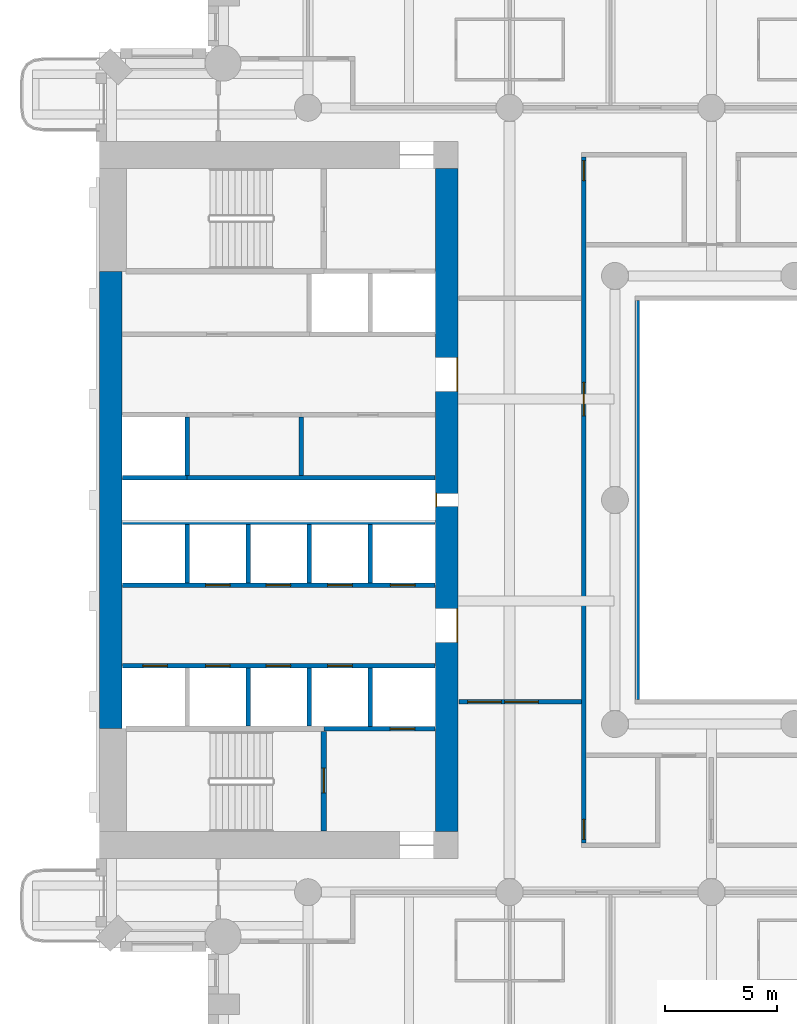
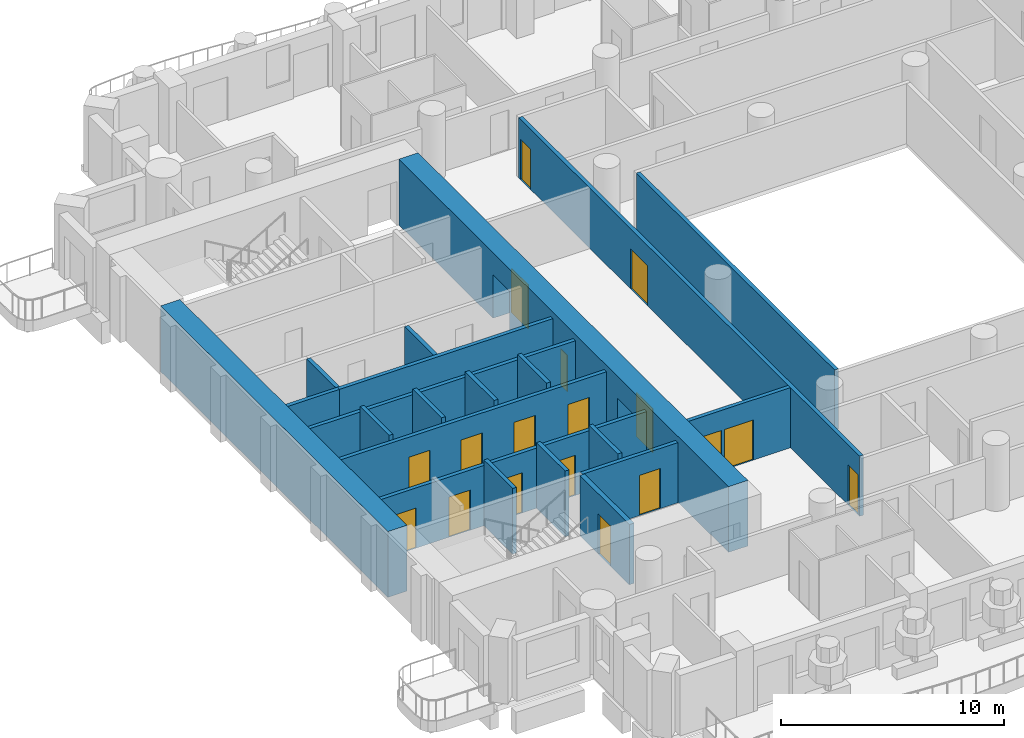
# One storey, part 4 of 20: 21 walls, 18 doors, 18 openings.
"""IFC4 building model written with IfcOpenShell, lengths in metres."""

import ifcopenshell
import ifcopenshell.guid

model = None  # the IFC model being written
_history = None  # IfcOwnerHistory: only IFC2X3 demands one
_inside = {}  # id of a spatial element -> (the spatial element, [elements in it])
_under = {}  # id of a project, library or spatial element -> (it, [spatial elements below it])
_declared = {}  # id of a project -> (the project, [libraries it declares])
_typed = {}  # id of a type object -> (the type object, [elements of that type])
_made_of = {}  # id of a material, layer set ... -> (it, [elements and type objects made of it])


def new_model(schema):
    """Start an empty IFC model of exactly this schema.

    Asked for "IFC4X3", IfcOpenShell would pick the latest addendum, in which some entities
    have other attributes; the version numbers below select the first issue.
    IFC2X3 requires an IfcOwnerHistory on every rooted entity: one is made here for all.
    """
    global model, _history
    if schema == "IFC4X3":
        model = ifcopenshell.file(schema_version=(4, 3, 0, 0))
    else:
        model = ifcopenshell.file(schema=schema)
    _inside.clear()
    _under.clear()
    _declared.clear()
    _typed.clear()
    _made_of.clear()
    _history = None
    if model.schema == "IFC2X3":
        org = make("IfcOrganization", Name="unknown")
        user = make(
            "IfcPersonAndOrganization",
            ThePerson=make("IfcPerson", FamilyName="unknown"),
            TheOrganization=org,
        )
        app = make(
            "IfcApplication",
            ApplicationDeveloper=org,
            Version="unknown",
            ApplicationFullName="unknown",
            ApplicationIdentifier="unknown",
        )
        _history = make(
            "IfcOwnerHistory",
            OwningUser=user,
            OwningApplication=app,
            ChangeAction="ADDED",
            CreationDate=0,
        )
    return model


def make(cls, **values):
    """One entity of the class cls with the attributes given. An attribute that is None is left unset."""
    return model.create_entity(
        cls, **{name: value for name, value in values.items() if value is not None}
    )


def rooted(cls, **values):
    """An entity with a GlobalId (a new one), such as an element, a storey or a relation."""
    return make(cls, GlobalId=ifcopenshell.guid.new(), OwnerHistory=_history, **values)


def si_unit(unit_type, name, prefix=None):
    """IfcSIUnit, for example si_unit("LENGTHUNIT", "METRE", prefix="MILLI")."""
    return make("IfcSIUnit", UnitType=unit_type, Prefix=prefix, Name=name)


def assignment(units):
    """IfcUnitAssignment: the units of a project."""
    return None if units is None else make("IfcUnitAssignment", Units=units)


def point(xyz):
    """IfcCartesianPoint."""
    return None if xyz is None else make("IfcCartesianPoint", Coordinates=xyz)


def direction(xyz):
    """IfcDirection."""
    return None if xyz is None else make("IfcDirection", DirectionRatios=xyz)


def frame(location, z_axis=None, x_axis=None):
    """IfcAxis2Placement3D, a coordinate frame: its origin and axes. An axis left out is left unset."""
    return make(
        "IfcAxis2Placement3D",
        Location=point(location),
        Axis=direction(z_axis),
        RefDirection=direction(x_axis),
    )


def frame_2d(location, x_axis=None):
    """IfcAxis2Placement2D, a coordinate frame in the plane: its origin and x axis."""
    return make(
        "IfcAxis2Placement2D", Location=point(location), RefDirection=direction(x_axis)
    )


def origin():
    """The frame at (0, 0, 0) with its axes left unset."""
    return frame((0.0, 0.0, 0.0))


def place(relative_to, where):
    """IfcLocalPlacement: puts the frame where relative to a parent placement (None: the world)."""
    return make(
        "IfcLocalPlacement", PlacementRelTo=relative_to, RelativePlacement=where
    )


def context(
    kind, dimensions, precision=None, world=None, true_north=None, identifier=None
):
    """IfcGeometricRepresentationContext, for example the 3D "Model" context."""
    return make(
        "IfcGeometricRepresentationContext",
        ContextIdentifier=identifier,
        ContextType=kind,
        CoordinateSpaceDimension=dimensions,
        Precision=precision,
        WorldCoordinateSystem=world,
        TrueNorth=true_north,
    )


def subcontext(parent, identifier, kind, view, scale=None):
    """IfcGeometricRepresentationSubContext, for example "Body" below "Model"."""
    return make(
        "IfcGeometricRepresentationSubContext",
        ContextIdentifier=identifier,
        ContextType=kind,
        ParentContext=parent,
        TargetScale=scale,
        TargetView=view,
    )


def project(units=None, contexts=None):
    """IfcProject with its units and contexts."""
    return rooted(
        "IfcProject",
        Name="project",
        RepresentationContexts=contexts,
        UnitsInContext=assignment(units),
    )


def spatial(cls, under=None, at=None, **own):
    """A site, building, storey or space (cls), placed at a placement, below another one or the project."""
    s = rooted(cls, ObjectPlacement=at, **own)
    if under is not None:
        _under.setdefault(under.id(), (under, []))[1].append(s)
    return s


def profile(cls, at=None, kind="AREA", **sizes):
    """A parametric profile (cls). Its sizes go by their IFC names, for example OverallWidth=200.0."""
    return make(cls, ProfileType=kind, Position=at, **sizes)


def rectangle(**sizes):
    """IfcRectangleProfileDef."""
    return profile("IfcRectangleProfileDef", **sizes)


def extrude(swept, where, along, depth):
    """IfcExtrudedAreaSolid: the profile swept, set in the frame where, extruded along a direction by depth."""
    return make(
        "IfcExtrudedAreaSolid",
        SweptArea=swept,
        Position=where,
        ExtrudedDirection=direction(along),
        Depth=depth,
    )


def shape(context_of_items, identifier, shape_type, items):
    """IfcShapeRepresentation: the items that make up one representation, for example the "Body"."""
    return make(
        "IfcShapeRepresentation",
        ContextOfItems=context_of_items,
        RepresentationIdentifier=identifier,
        RepresentationType=shape_type,
        Items=items,
    )


def material(Name=None, Category=None):
    """IfcMaterial."""
    return make("IfcMaterial", Name=Name, Category=Category)


def layer(
    of_material, thickness, ventilated=None, Name=None, Category=None, Priority=None
):
    """IfcMaterialLayer: one layer of a wall or slab, of a material (None: an air gap)."""
    return make(
        "IfcMaterialLayer",
        Material=of_material,
        LayerThickness=thickness,
        IsVentilated=ventilated,
        Name=Name,
        Category=Category,
        Priority=Priority,
    )


def layer_set(layers, Name=None):
    """IfcMaterialLayerSet."""
    return make("IfcMaterialLayerSet", MaterialLayers=layers, LayerSetName=Name)


def made_of(thing, what):
    """Note that an element or type object is made of a material, layer set ...; save() writes the relation."""
    if what is not None:
        _made_of.setdefault(what.id(), (what, []))[1].append(thing)
    return thing


def type_object(cls, material=None, **own):
    """A type object (cls), such as IfcWallType, which elements share."""
    return made_of(rooted(cls, **own), material)


def element(
    cls,
    number,
    at=None,
    inside=None,
    cuts=None,
    type_object=None,
    material=None,
    context=None,
    identifier="Body",
    shape_type=None,
    held_by="IfcProductDefinitionShape",
    body=None,
    shapes=None,
    **own,
):
    """One element of the class cls, such as IfcWall. Its Tag is "e" and its number.

    at: its placement. inside: the storey or other place that contains it. cuts: it is an
    opening in that element (IfcRelVoidsElement). A single representation is given by context,
    identifier, shape_type and body (its items); several are given by shapes. held_by: the class
    of the entity that holds the representations. save() writes the other relations.
    """
    e = rooted(cls, Tag="e%d" % number, ObjectPlacement=at, **own)
    if body is not None:
        shapes = [shape(context, identifier, shape_type, body)]
    if shapes is not None:
        e.Representation = make(held_by, Representations=shapes)
    if inside is not None:
        _inside.setdefault(inside.id(), (inside, []))[1].append(e)
    if cuts is not None:
        rooted(
            "IfcRelVoidsElement", RelatingBuildingElement=cuts, RelatedOpeningElement=e
        )
    if type_object is not None:
        _typed.setdefault(type_object.id(), (type_object, []))[1].append(e)
    return made_of(e, material)


def fill(opening, filler):
    """IfcRelFillsElement: the door or window that sits in an opening."""
    return rooted(
        "IfcRelFillsElement",
        RelatingOpeningElement=opening,
        RelatedBuildingElement=filler,
    )


def aggregate(whole, parts):
    """IfcRelAggregates: a whole, such as a stair, and the parts it consists of."""
    return rooted("IfcRelAggregates", RelatingObject=whole, RelatedObjects=parts)


def save(model, path):
    """Write the relations noted so far, then the file.

    IfcRelAggregates (storeys below a building ...), IfcRelContainedInSpatialStructure (elements
    in a storey), IfcRelDefinesByType, IfcRelAssociatesMaterial and IfcRelDeclares: one each for
    every whole, place, type object, material and project.
    """
    for whole, parts in _under.values():
        aggregate(whole, parts)
    for where, things in _inside.values():
        rooted(
            "IfcRelContainedInSpatialStructure",
            RelatedElements=things,
            RelatingStructure=where,
        )
    for kind, things in _typed.values():
        rooted("IfcRelDefinesByType", RelatedObjects=things, RelatingType=kind)
    for what, things in _made_of.values():
        rooted("IfcRelAssociatesMaterial", RelatedObjects=things, RelatingMaterial=what)
    for by, libraries in _declared.values():
        rooted("IfcRelDeclares", RelatingContext=by, RelatedDefinitions=libraries)
    model.write(path)


model = new_model("IFC4")

# Units and contexts
model_context = context("Model", 3, precision=1e-05, world=origin(), true_north=direction((0.0, 1.0)))
body_context = subcontext(model_context, "Body", "Model", "MODEL_VIEW")
ifc_project = project(units=[si_unit("LENGTHUNIT", "METRE"), si_unit("AREAUNIT", "SQUARE_METRE"), si_unit("VOLUMEUNIT", "CUBIC_METRE"), si_unit("PLANEANGLEUNIT", "RADIAN"), si_unit("MASSUNIT", "GRAM", prefix="KILO")], contexts=[model_context])

# Site, building, storey
site_placement = place(None, origin())
site = spatial("IfcSite", under=ifc_project, at=site_placement, CompositionType="ELEMENT")
building_placement = place(site_placement, origin())
building = spatial("IfcBuilding", under=site, at=building_placement, Name="Cypress Arch Tower", CompositionType="ELEMENT")
storey_placement = place(building_placement, frame((0.0, 0.0, 62.699951171875)))
storey = spatial("IfcBuildingStorey", under=building, at=storey_placement, Name="L09", CompositionType="ELEMENT", Elevation=62.699951171875)

# Wall, openings, doors
ifc_material_1 = material(Name="Concrete C80/95", Category="concrete")
ifc_layer_1 = layer(ifc_material_1, 1.0)
ifc_layer_set_1 = layer_set([ifc_layer_1], Name="Core wall CW1000 C80/95")
wall_type_1 = type_object("IfcWallType", Name="Core wall CW1000 C80/95", PredefinedType="SHEAR", material=ifc_layer_set_1)
wall_1_placement = place(storey_placement, frame((-14.5, -14.800048828125, 0.0), z_axis=(0.0, 0.0, 1.0), x_axis=(0.0, 1.0, 0.0)))
wall_1 = element("IfcWall", 1, at=wall_1_placement, inside=storey, type_object=wall_type_1, Name="Core wall", PredefinedType="SHEAR", context=body_context, shape_type="SweptSolid", body=[
    extrude(rectangle(XDim=29.60009765625, YDim=1.0, at=frame_2d((14.800048828125, 0.0))), origin(), (0.0, 0.0, 1.0), 3.60009765625),
])
opening_1_placement = place(wall_1_placement, frame((8.449951171875, 0.0, 0.0)))
opening_1 = element("IfcOpeningElement", 2, at=opening_1_placement, cuts=wall_1, Name="Opening D07", PredefinedType="OPENING", context=body_context, shape_type="SweptSolid", body=[
    extrude(rectangle(XDim=1.5, YDim=2.39990234375, at=frame_2d((0.75, 1.199951171875))), frame((0.0, 0.510009765625, 0.0), z_axis=(0.0, -1.0, 0.0), x_axis=(1.0, 0.0, 0.0)), (0.0, 0.0, 1.0), 1.02001953125),
])
opening_2_placement = place(wall_1_placement, frame((19.64990234375, 0.0, 0.0)))
opening_2 = element("IfcOpeningElement", 3, at=opening_2_placement, cuts=wall_1, Name="Opening D07", PredefinedType="OPENING", context=body_context, shape_type="SweptSolid", body=[
    extrude(rectangle(XDim=1.5, YDim=2.39990234375, at=frame_2d((0.75, 1.199951171875))), frame((0.0, 0.510009765625, 0.0), z_axis=(0.0, -1.0, 0.0), x_axis=(1.0, 0.0, 0.0)), (0.0, 0.0, 1.0), 1.02001953125),
])
opening_3_placement = place(wall_1_placement, frame((14.5, 0.0, 0.0)))
opening_3 = element("IfcOpeningElement", 4, at=opening_3_placement, cuts=wall_1, Name="Opening D08", PredefinedType="OPENING", context=body_context, shape_type="SweptSolid", body=[
    extrude(rectangle(XDim=0.60009765625, YDim=2.0, at=frame_2d((0.300048828125, 1.0))), frame((0.0, 0.510009765625, 0.0), z_axis=(0.0, -1.0, 0.0), x_axis=(1.0, 0.0, 0.0)), (0.0, 0.0, 1.0), 1.02001953125),
])
ifc_material_2 = material(Name="Steel framed glazed door, fire resisting", Category="steel")
door_type_1 = type_object("IfcDoorType", Name="Lobby door D07 1500x2400", OperationType="DOUBLE_DOOR_SINGLE_SWING", PredefinedType="DOOR", material=ifc_material_2)
door_1_placement = place(opening_1_placement, origin())
door_1 = element("IfcDoor", 5, at=door_1_placement, inside=storey, type_object=door_type_1, Name="Lobby door", OperationType="DOUBLE_DOOR_SINGLE_SWING", OverallHeight=2.39990234375, OverallWidth=1.5, PredefinedType="DOOR", context=body_context, shape_type="SweptSolid", body=[
    extrude(rectangle(XDim=1.5, YDim=2.39990234375, at=frame_2d((0.75, 1.199951171875))), frame((0.0, -0.44482421875, 0.0), z_axis=(0.0, -1.0, 0.0), x_axis=(1.0, 0.0, 0.0)), (0.0, 0.0, 1.0), 0.050048828125),
])
fill(opening_1, door_1)
door_2_placement = place(opening_2_placement, origin())
door_2 = element("IfcDoor", 6, at=door_2_placement, inside=storey, type_object=door_type_1, Name="Lobby door", OperationType="DOUBLE_DOOR_SINGLE_SWING", OverallHeight=2.39990234375, OverallWidth=1.5, PredefinedType="DOOR", context=body_context, shape_type="SweptSolid", body=[
    extrude(rectangle(XDim=1.5, YDim=2.39990234375, at=frame_2d((0.75, 1.199951171875))), frame((0.0, -0.44482421875, 0.0), z_axis=(0.0, -1.0, 0.0), x_axis=(1.0, 0.0, 0.0)), (0.0, 0.0, 1.0), 0.050048828125),
])
fill(opening_2, door_2)
ifc_material_3 = material(Name="Steel access door, fire resisting", Category="steel")
door_type_2 = type_object("IfcDoorType", Name="Riser access door D08 600x2000", OperationType="SINGLE_SWING_LEFT", PredefinedType="DOOR", material=ifc_material_3)
door_3_placement = place(opening_3_placement, origin())
door_3 = element("IfcDoor", 7, at=door_3_placement, inside=storey, type_object=door_type_2, Name="Riser access door", OperationType="SINGLE_SWING_RIGHT", OverallHeight=2.0, OverallWidth=0.60009765625, PredefinedType="DOOR", context=body_context, shape_type="SweptSolid", body=[
    extrude(rectangle(XDim=0.60009765625, YDim=2.0, at=frame_2d((0.300048828125, 1.0))), frame((0.0, 0.4951171875, 0.0), z_axis=(0.0, -1.0, 0.0), x_axis=(1.0, 0.0, 0.0)), (0.0, 0.0, 1.0), 0.050048828125),
])
fill(opening_3, door_3)

# Wall
wall_2_placement = place(storey_placement, frame((-29.5, -10.199951171875, 0.0), z_axis=(0.0, 0.0, 1.0), x_axis=(0.0, 1.0, 0.0)))
element("IfcWall", 8, at=wall_2_placement, inside=storey, type_object=wall_type_1, Name="Core wall", PredefinedType="SHEAR", context=body_context, shape_type="SweptSolid", body=[
    extrude(rectangle(XDim=20.39990234375, YDim=1.0, at=frame_2d((10.199951171875, 0.0))), origin(), (0.0, 0.0, 1.0), 3.60009765625),
])

# Wall, openings, doors
ifc_material_4 = material(Name="Concrete blockwork, plastered, rated", Category="masonry")
ifc_layer_2 = layer(ifc_material_4, 0.199951171875)
ifc_layer_set_2 = layer_set([ifc_layer_2], Name="Corridor wall FW200")
wall_type_2 = type_object("IfcWallType", Name="Corridor wall FW200", PredefinedType="PARTITIONING", material=ifc_layer_set_2)
wall_3_placement = place(storey_placement, frame((-13.969970703125, -9.0, 0.0), z_axis=(0.0, 0.0, 1.0), x_axis=(1.0, 0.0, 0.0)))
wall_3 = element("IfcWall", 9, at=wall_3_placement, inside=storey, type_object=wall_type_2, Name="Corridor wall", PredefinedType="PARTITIONING", context=body_context, shape_type="SweptSolid", body=[
    extrude(rectangle(XDim=5.469970703125, YDim=0.199951171875, at=frame_2d((2.73486328125, 0.0))), origin(), (0.0, 0.0, 1.0), 3.300048828125),
])
opening_4_placement = place(wall_3_placement, frame((0.39990234375, 0.0, 0.0)))
opening_4 = element("IfcOpeningElement", 10, at=opening_4_placement, cuts=wall_3, Name="Opening D04", PredefinedType="OPENING", context=body_context, shape_type="SweptSolid", body=[
    extrude(rectangle(XDim=1.5, YDim=2.199951171875, at=frame_2d((0.75, 1.10009765625))), frame((0.0, 0.10986328125, 0.0), z_axis=(0.0, -1.0, 0.0), x_axis=(1.0, 0.0, 0.0)), (0.0, 0.0, 1.0), 0.219970703125),
])
opening_5_placement = place(wall_3_placement, frame((2.050048828125, 0.0, 0.0)))
opening_5 = element("IfcOpeningElement", 11, at=opening_5_placement, cuts=wall_3, Name="Opening D04", PredefinedType="OPENING", context=body_context, shape_type="SweptSolid", body=[
    extrude(rectangle(XDim=1.5, YDim=2.199951171875, at=frame_2d((0.75, 1.10009765625))), frame((0.0, 0.10986328125, 0.0), z_axis=(0.0, -1.0, 0.0), x_axis=(1.0, 0.0, 0.0)), (0.0, 0.0, 1.0), 0.219970703125),
])
ifc_material_5 = material(Name="Timber double door", Category="wood")
door_type_3 = type_object("IfcDoorType", Name="Double door D04 1500x2200", OperationType="DOUBLE_DOOR_SINGLE_SWING", PredefinedType="DOOR", material=ifc_material_5)
door_4_placement = place(opening_4_placement, origin())
door_4 = element("IfcDoor", 12, at=door_4_placement, inside=storey, type_object=door_type_3, Name="Double door", OperationType="DOUBLE_DOOR_SINGLE_SWING", OverallHeight=2.199951171875, OverallWidth=1.5, PredefinedType="DOOR", context=body_context, shape_type="SweptSolid", body=[
    extrude(rectangle(XDim=1.5, YDim=2.199951171875, at=frame_2d((0.75, 1.10009765625))), frame((0.0, 0.02490234375, 0.0), z_axis=(0.0, -1.0, 0.0), x_axis=(1.0, 0.0, 0.0)), (0.0, 0.0, 1.0), 0.050048828125),
])
fill(opening_4, door_4)
door_5_placement = place(opening_5_placement, origin())
door_5 = element("IfcDoor", 13, at=door_5_placement, inside=storey, type_object=door_type_3, Name="Double door", OperationType="DOUBLE_DOOR_SINGLE_SWING", OverallHeight=2.199951171875, OverallWidth=1.5, PredefinedType="DOOR", context=body_context, shape_type="SweptSolid", body=[
    extrude(rectangle(XDim=1.5, YDim=2.199951171875, at=frame_2d((0.75, 1.10009765625))), frame((0.0, 0.02490234375, 0.0), z_axis=(0.0, -1.0, 0.0), x_axis=(1.0, 0.0, 0.0)), (0.0, 0.0, 1.0), 0.050048828125),
])
fill(opening_5, door_5)

wall_4_placement = place(storey_placement, frame((-8.39990234375, -15.300048828125, 0.0), z_axis=(0.0, 0.0, 1.0), x_axis=(0.0, 1.0, 0.0)))
wall_4 = element("IfcWall", 14, at=wall_4_placement, inside=storey, type_object=wall_type_2, Name="Corridor wall", PredefinedType="PARTITIONING", context=body_context, shape_type="SweptSolid", body=[
    extrude(rectangle(XDim=30.60009765625, YDim=0.199951171875, at=frame_2d((15.300048828125, 0.0))), origin(), (0.0, 0.0, 1.0), 3.300048828125),
])
opening_6_placement = place(wall_4_placement, frame((19.050048828125, 0.0, 0.0)))
opening_6 = element("IfcOpeningElement", 15, at=opening_6_placement, cuts=wall_4, Name="Opening D04", PredefinedType="OPENING", context=body_context, shape_type="SweptSolid", body=[
    extrude(rectangle(XDim=1.5, YDim=2.199951171875, at=frame_2d((0.75, 1.10009765625))), frame((0.0, 0.10986328125, 0.0), z_axis=(0.0, -1.0, 0.0), x_axis=(1.0, 0.0, 0.0)), (0.0, 0.0, 1.0), 0.219970703125),
])
opening_7_placement = place(wall_4_placement, frame((29.550048828125, 0.0, 0.0)))
opening_7 = element("IfcOpeningElement", 16, at=opening_7_placement, cuts=wall_4, Name="Opening D05", PredefinedType="OPENING", context=body_context, shape_type="SweptSolid", body=[
    extrude(rectangle(XDim=0.89990234375, YDim=2.199951171875, at=frame_2d((0.449951171875, 1.10009765625))), frame((0.0, 0.10986328125, 0.0), z_axis=(0.0, -1.0, 0.0), x_axis=(1.0, 0.0, 0.0)), (0.0, 0.0, 1.0), 0.219970703125),
])
opening_8_placement = place(wall_4_placement, frame((0.14990234375, 0.0, 0.0)))
opening_8 = element("IfcOpeningElement", 17, at=opening_8_placement, cuts=wall_4, Name="Opening D05", PredefinedType="OPENING", context=body_context, shape_type="SweptSolid", body=[
    extrude(rectangle(XDim=0.89990234375, YDim=2.199951171875, at=frame_2d((0.449951171875, 1.10009765625))), frame((0.0, 0.10986328125, 0.0), z_axis=(0.0, -1.0, 0.0), x_axis=(1.0, 0.0, 0.0)), (0.0, 0.0, 1.0), 0.219970703125),
])
door_6_placement = place(opening_6_placement, origin())
door_6 = element("IfcDoor", 18, at=door_6_placement, inside=storey, type_object=door_type_3, Name="Double door", OperationType="DOUBLE_DOOR_SINGLE_SWING", OverallHeight=2.199951171875, OverallWidth=1.5, PredefinedType="DOOR", context=body_context, shape_type="SweptSolid", body=[
    extrude(rectangle(XDim=1.5, YDim=2.199951171875, at=frame_2d((0.75, 1.10009765625))), frame((0.0, 0.02490234375, 0.0), z_axis=(0.0, -1.0, 0.0), x_axis=(1.0, 0.0, 0.0)), (0.0, 0.0, 1.0), 0.050048828125),
])
fill(opening_6, door_6)
ifc_material_6 = material(Name="Timber flush door", Category="wood")
door_type_4 = type_object("IfcDoorType", Name="Service door D05 900x2200", OperationType="SINGLE_SWING_LEFT", PredefinedType="DOOR", material=ifc_material_6)
door_7_placement = place(opening_7_placement, origin())
door_7 = element("IfcDoor", 19, at=door_7_placement, inside=storey, type_object=door_type_4, Name="Service door", OperationType="SINGLE_SWING_LEFT", OverallHeight=2.199951171875, OverallWidth=0.89990234375, PredefinedType="DOOR", context=body_context, shape_type="SweptSolid", body=[
    extrude(rectangle(XDim=0.89990234375, YDim=2.199951171875, at=frame_2d((0.449951171875, 1.10009765625))), frame((0.0, 0.02490234375, 0.0), z_axis=(0.0, -1.0, 0.0), x_axis=(1.0, 0.0, 0.0)), (0.0, 0.0, 1.0), 0.050048828125),
])
fill(opening_7, door_7)
door_8_placement = place(opening_8_placement, origin())
door_8 = element("IfcDoor", 20, at=door_8_placement, inside=storey, type_object=door_type_4, Name="Service door", OperationType="SINGLE_SWING_RIGHT", OverallHeight=2.199951171875, OverallWidth=0.89990234375, PredefinedType="DOOR", context=body_context, shape_type="SweptSolid", body=[
    extrude(rectangle(XDim=0.89990234375, YDim=2.199951171875, at=frame_2d((0.449951171875, 1.10009765625))), frame((0.0, 0.02490234375, 0.0), z_axis=(0.0, -1.0, 0.0), x_axis=(1.0, 0.0, 0.0)), (0.0, 0.0, 1.0), 0.050048828125),
])
fill(opening_8, door_8)

# Walls
wall_5_placement = place(storey_placement, frame((-6.0, -8.89990234375, 0.0), z_axis=(0.0, 0.0, 1.0), x_axis=(0.0, 1.0, 0.0)))
element("IfcWall", 21, at=wall_5_placement, inside=storey, type_object=wall_type_2, Name="Corridor wall", PredefinedType="PARTITIONING", context=body_context, shape_type="SweptSolid", body=[
    extrude(rectangle(XDim=17.7998046875, YDim=0.199951171875, at=frame_2d((8.89990234375, 0.0))), origin(), (0.0, 0.0, 1.0), 3.300048828125),
])
ifc_material_7 = material(Name="Reinforced blockwork, plastered, rated", Category="masonry")
ifc_layer_3 = layer(ifc_material_7, 0.199951171875)
ifc_layer_set_3 = layer_set([ifc_layer_3], Name="Plant and riser wall PL200")
wall_type_3 = type_object("IfcWallType", Name="Plant and riser wall PL200", PredefinedType="PARTITIONING", material=ifc_layer_set_3)
wall_6_placement = place(storey_placement, frame((-26.10009765625, 1.0, 0.0), z_axis=(0.0, 0.0, 1.0), x_axis=(1.0, 0.0, 0.0)))
element("IfcWall", 22, at=wall_6_placement, inside=storey, type_object=wall_type_3, Name="Plant and riser wall", PredefinedType="PARTITIONING", context=body_context, shape_type="SweptSolid", body=[
    extrude(rectangle(XDim=11.070068359375, YDim=0.199951171875, at=frame_2d((5.53515625, 0.0))), origin(), (0.0, 0.0, 1.0), 3.300048828125),
])
wall_7_placement = place(storey_placement, frame((-21.0, 1.10009765625, 0.0), z_axis=(0.0, 0.0, 1.0), x_axis=(0.0, 1.0, 0.0)))
element("IfcWall", 23, at=wall_7_placement, inside=storey, type_object=wall_type_3, Name="Plant and riser wall", PredefinedType="PARTITIONING", context=body_context, shape_type="SweptSolid", body=[
    extrude(rectangle(XDim=2.599853515625, YDim=0.199951171875, at=frame_2d((1.2998046875, 0.0))), origin(), (0.0, 0.0, 1.0), 3.300048828125),
])

# Wall, openings, doors
ifc_material_8 = material(Name="Concrete C50/60", Category="concrete")
ifc_layer_4 = layer(ifc_material_8, 0.199951171875)
ifc_layer_set_4 = layer_set([ifc_layer_4], Name="Shaft wall SH200")
wall_type_4 = type_object("IfcWallType", Name="Shaft wall SH200", PredefinedType="SHEAR", material=ifc_layer_set_4)
wall_8_placement = place(storey_placement, frame((-28.969970703125, -7.39990234375, 0.0), z_axis=(0.0, 0.0, 1.0), x_axis=(1.0, 0.0, 0.0)))
wall_8 = element("IfcWall", 24, at=wall_8_placement, inside=storey, type_object=wall_type_4, Name="Shaft wall", PredefinedType="SHEAR", context=body_context, shape_type="SweptSolid", body=[
    extrude(rectangle(XDim=13.93994140625, YDim=0.199951171875, at=frame_2d((6.969970703125, 0.0))), origin(), (0.0, 0.0, 1.0), 3.300048828125),
])
opening_9_placement = place(wall_8_placement, frame((0.89990234375, 0.0, 0.0)))
opening_9 = element("IfcOpeningElement", 25, at=opening_9_placement, cuts=wall_8, Name="Opening LD-LR1", PredefinedType="OPENING", context=body_context, shape_type="SweptSolid", body=[
    extrude(rectangle(XDim=1.10009765625, YDim=2.199951171875, at=frame_2d((0.550048828125, 1.10009765625))), frame((0.0, 0.10986328125, 0.0), z_axis=(0.0, -1.0, 0.0), x_axis=(1.0, 0.0, 0.0)), (0.0, 0.0, 1.0), 0.219970703125),
])
opening_10_placement = place(wall_8_placement, frame((3.699951171875, 0.0, 0.0)))
opening_10 = element("IfcOpeningElement", 26, at=opening_10_placement, cuts=wall_8, Name="Opening LD-LR2", PredefinedType="OPENING", context=body_context, shape_type="SweptSolid", body=[
    extrude(rectangle(XDim=1.10009765625, YDim=2.199951171875, at=frame_2d((0.550048828125, 1.10009765625))), frame((0.0, 0.10986328125, 0.0), z_axis=(0.0, -1.0, 0.0), x_axis=(1.0, 0.0, 0.0)), (0.0, 0.0, 1.0), 0.219970703125),
])
opening_11_placement = place(wall_8_placement, frame((6.39990234375, 0.0, 0.0)))
opening_11 = element("IfcOpeningElement", 27, at=opening_11_placement, cuts=wall_8, Name="Opening LD-LR3", PredefinedType="OPENING", context=body_context, shape_type="SweptSolid", body=[
    extrude(rectangle(XDim=1.10009765625, YDim=2.199951171875, at=frame_2d((0.550048828125, 1.10009765625))), frame((0.0, 0.10986328125, 0.0), z_axis=(0.0, -1.0, 0.0), x_axis=(1.0, 0.0, 0.0)), (0.0, 0.0, 1.0), 0.219970703125),
])
opening_12_placement = place(wall_8_placement, frame((9.14990234375, 0.0, 0.0)))
opening_12 = element("IfcOpeningElement", 28, at=opening_12_placement, cuts=wall_8, Name="Opening LD-LR4", PredefinedType="OPENING", context=body_context, shape_type="SweptSolid", body=[
    extrude(rectangle(XDim=1.10009765625, YDim=2.199951171875, at=frame_2d((0.550048828125, 1.10009765625))), frame((0.0, 0.10986328125, 0.0), z_axis=(0.0, -1.0, 0.0), x_axis=(1.0, 0.0, 0.0)), (0.0, 0.0, 1.0), 0.219970703125),
])
ifc_material_9 = material(Name="Stainless steel centre-opening landing door, rated", Category="steel")
door_type_5 = type_object("IfcDoorType", Name="Lift landing door LD 1100x2200", OperationType="DOUBLE_DOOR_SLIDING", PredefinedType="DOOR", material=ifc_material_9)
door_9_placement = place(opening_9_placement, origin())
door_9 = element("IfcDoor", 29, at=door_9_placement, inside=storey, type_object=door_type_5, Name="Lift landing doors LR1", OperationType="DOUBLE_DOOR_SLIDING", OverallHeight=2.199951171875, OverallWidth=1.10009765625, PredefinedType="DOOR", context=body_context, shape_type="SweptSolid", body=[
    extrude(rectangle(XDim=1.10009765625, YDim=2.199951171875, at=frame_2d((0.550048828125, 1.10009765625))), frame((0.0, 0.02490234375, 0.0), z_axis=(0.0, -1.0, 0.0), x_axis=(1.0, 0.0, 0.0)), (0.0, 0.0, 1.0), 0.050048828125),
])
fill(opening_9, door_9)
door_10_placement = place(opening_10_placement, origin())
door_10 = element("IfcDoor", 30, at=door_10_placement, inside=storey, type_object=door_type_5, Name="Lift landing doors LR2", OperationType="DOUBLE_DOOR_SLIDING", OverallHeight=2.199951171875, OverallWidth=1.10009765625, PredefinedType="DOOR", context=body_context, shape_type="SweptSolid", body=[
    extrude(rectangle(XDim=1.10009765625, YDim=2.199951171875, at=frame_2d((0.550048828125, 1.10009765625))), frame((0.0, 0.02490234375, 0.0), z_axis=(0.0, -1.0, 0.0), x_axis=(1.0, 0.0, 0.0)), (0.0, 0.0, 1.0), 0.050048828125),
])
fill(opening_10, door_10)
door_11_placement = place(opening_11_placement, origin())
door_11 = element("IfcDoor", 31, at=door_11_placement, inside=storey, type_object=door_type_5, Name="Lift landing doors LR3", OperationType="DOUBLE_DOOR_SLIDING", OverallHeight=2.199951171875, OverallWidth=1.10009765625, PredefinedType="DOOR", context=body_context, shape_type="SweptSolid", body=[
    extrude(rectangle(XDim=1.10009765625, YDim=2.199951171875, at=frame_2d((0.550048828125, 1.10009765625))), frame((0.0, 0.02490234375, 0.0), z_axis=(0.0, -1.0, 0.0), x_axis=(1.0, 0.0, 0.0)), (0.0, 0.0, 1.0), 0.050048828125),
])
fill(opening_11, door_11)
door_12_placement = place(opening_12_placement, origin())
door_12 = element("IfcDoor", 32, at=door_12_placement, inside=storey, type_object=door_type_5, Name="Lift landing doors LR4", OperationType="DOUBLE_DOOR_SLIDING", OverallHeight=2.199951171875, OverallWidth=1.10009765625, PredefinedType="DOOR", context=body_context, shape_type="SweptSolid", body=[
    extrude(rectangle(XDim=1.10009765625, YDim=2.199951171875, at=frame_2d((0.550048828125, 1.10009765625))), frame((0.0, 0.02490234375, 0.0), z_axis=(0.0, -1.0, 0.0), x_axis=(1.0, 0.0, 0.0)), (0.0, 0.0, 1.0), 0.050048828125),
])
fill(opening_12, door_12)

wall_9_placement = place(storey_placement, frame((-28.969970703125, -3.800048828125, 0.0), z_axis=(0.0, 0.0, 1.0), x_axis=(1.0, 0.0, 0.0)))
wall_9 = element("IfcWall", 33, at=wall_9_placement, inside=storey, type_object=wall_type_4, Name="Shaft wall", PredefinedType="SHEAR", context=body_context, shape_type="SweptSolid", body=[
    extrude(rectangle(XDim=13.93994140625, YDim=0.199951171875, at=frame_2d((6.969970703125, 0.0))), origin(), (0.0, 0.0, 1.0), 3.300048828125),
])
opening_13_placement = place(wall_9_placement, frame((3.699951171875, 0.0, 0.0)))
opening_13 = element("IfcOpeningElement", 34, at=opening_13_placement, cuts=wall_9, Name="Opening LD-LR5", PredefinedType="OPENING", context=body_context, shape_type="SweptSolid", body=[
    extrude(rectangle(XDim=1.10009765625, YDim=2.199951171875, at=frame_2d((0.550048828125, 1.10009765625))), frame((0.0, 0.10986328125, 0.0), z_axis=(0.0, -1.0, 0.0), x_axis=(1.0, 0.0, 0.0)), (0.0, 0.0, 1.0), 0.219970703125),
])
opening_14_placement = place(wall_9_placement, frame((6.39990234375, 0.0, 0.0)))
opening_14 = element("IfcOpeningElement", 35, at=opening_14_placement, cuts=wall_9, Name="Opening LD-LR6", PredefinedType="OPENING", context=body_context, shape_type="SweptSolid", body=[
    extrude(rectangle(XDim=1.10009765625, YDim=2.199951171875, at=frame_2d((0.550048828125, 1.10009765625))), frame((0.0, 0.10986328125, 0.0), z_axis=(0.0, -1.0, 0.0), x_axis=(1.0, 0.0, 0.0)), (0.0, 0.0, 1.0), 0.219970703125),
])
opening_15_placement = place(wall_9_placement, frame((9.14990234375, 0.0, 0.0)))
opening_15 = element("IfcOpeningElement", 36, at=opening_15_placement, cuts=wall_9, Name="Opening LD-LR7", PredefinedType="OPENING", context=body_context, shape_type="SweptSolid", body=[
    extrude(rectangle(XDim=1.10009765625, YDim=2.199951171875, at=frame_2d((0.550048828125, 1.10009765625))), frame((0.0, 0.10986328125, 0.0), z_axis=(0.0, -1.0, 0.0), x_axis=(1.0, 0.0, 0.0)), (0.0, 0.0, 1.0), 0.219970703125),
])
opening_16_placement = place(wall_9_placement, frame((11.949951171875, 0.0, 0.0)))
opening_16 = element("IfcOpeningElement", 37, at=opening_16_placement, cuts=wall_9, Name="Opening LD-LR8", PredefinedType="OPENING", context=body_context, shape_type="SweptSolid", body=[
    extrude(rectangle(XDim=1.10009765625, YDim=2.199951171875, at=frame_2d((0.550048828125, 1.10009765625))), frame((0.0, 0.10986328125, 0.0), z_axis=(0.0, -1.0, 0.0), x_axis=(1.0, 0.0, 0.0)), (0.0, 0.0, 1.0), 0.219970703125),
])
door_13_placement = place(opening_13_placement, origin())
door_13 = element("IfcDoor", 38, at=door_13_placement, inside=storey, type_object=door_type_5, Name="Lift landing doors LR5", OperationType="DOUBLE_DOOR_SLIDING", OverallHeight=2.199951171875, OverallWidth=1.10009765625, PredefinedType="DOOR", context=body_context, shape_type="SweptSolid", body=[
    extrude(rectangle(XDim=1.10009765625, YDim=2.199951171875, at=frame_2d((0.550048828125, 1.10009765625))), frame((0.0, 0.02490234375, 0.0), z_axis=(0.0, -1.0, 0.0), x_axis=(1.0, 0.0, 0.0)), (0.0, 0.0, 1.0), 0.050048828125),
])
fill(opening_13, door_13)
door_14_placement = place(opening_14_placement, origin())
door_14 = element("IfcDoor", 39, at=door_14_placement, inside=storey, type_object=door_type_5, Name="Lift landing doors LR6", OperationType="DOUBLE_DOOR_SLIDING", OverallHeight=2.199951171875, OverallWidth=1.10009765625, PredefinedType="DOOR", context=body_context, shape_type="SweptSolid", body=[
    extrude(rectangle(XDim=1.10009765625, YDim=2.199951171875, at=frame_2d((0.550048828125, 1.10009765625))), frame((0.0, 0.02490234375, 0.0), z_axis=(0.0, -1.0, 0.0), x_axis=(1.0, 0.0, 0.0)), (0.0, 0.0, 1.0), 0.050048828125),
])
fill(opening_14, door_14)
door_15_placement = place(opening_15_placement, origin())
door_15 = element("IfcDoor", 40, at=door_15_placement, inside=storey, type_object=door_type_5, Name="Lift landing doors LR7", OperationType="DOUBLE_DOOR_SLIDING", OverallHeight=2.199951171875, OverallWidth=1.10009765625, PredefinedType="DOOR", context=body_context, shape_type="SweptSolid", body=[
    extrude(rectangle(XDim=1.10009765625, YDim=2.199951171875, at=frame_2d((0.550048828125, 1.10009765625))), frame((0.0, 0.02490234375, 0.0), z_axis=(0.0, -1.0, 0.0), x_axis=(1.0, 0.0, 0.0)), (0.0, 0.0, 1.0), 0.050048828125),
])
fill(opening_15, door_15)
door_16_placement = place(opening_16_placement, origin())
door_16 = element("IfcDoor", 41, at=door_16_placement, inside=storey, type_object=door_type_5, Name="Lift landing doors LR8", OperationType="DOUBLE_DOOR_SLIDING", OverallHeight=2.199951171875, OverallWidth=1.10009765625, PredefinedType="DOOR", context=body_context, shape_type="SweptSolid", body=[
    extrude(rectangle(XDim=1.10009765625, YDim=2.199951171875, at=frame_2d((0.550048828125, 1.10009765625))), frame((0.0, 0.02490234375, 0.0), z_axis=(0.0, -1.0, 0.0), x_axis=(1.0, 0.0, 0.0)), (0.0, 0.0, 1.0), 0.050048828125),
])
fill(opening_16, door_16)

# Walls
wall_10_placement = place(storey_placement, frame((-28.969970703125, -1.0, 0.0), z_axis=(0.0, 0.0, 1.0), x_axis=(1.0, 0.0, 0.0)))
element("IfcWall", 42, at=wall_10_placement, inside=storey, type_object=wall_type_4, Name="Shaft wall", PredefinedType="SHEAR", context=body_context, shape_type="SweptSolid", body=[
    extrude(rectangle(XDim=13.93994140625, YDim=0.199951171875, at=frame_2d((6.969970703125, 0.0))), origin(), (0.0, 0.0, 1.0), 3.300048828125),
])
wall_11_placement = place(storey_placement, frame((-28.969970703125, 1.0, 0.0), z_axis=(0.0, 0.0, 1.0), x_axis=(1.0, 0.0, 0.0)))
element("IfcWall", 43, at=wall_11_placement, inside=storey, type_object=wall_type_4, Name="Shaft wall", PredefinedType="SHEAR", context=body_context, shape_type="SweptSolid", body=[
    extrude(rectangle(XDim=2.869873046875, YDim=0.199951171875, at=frame_2d((1.43505859375, 0.0))), origin(), (0.0, 0.0, 1.0), 3.300048828125),
])
wall_12_placement = place(storey_placement, frame((-26.080078125, -3.699951171875, 0.0), z_axis=(0.0, 0.0, 1.0), x_axis=(0.0, 1.0, 0.0)))
element("IfcWall", 44, at=wall_12_placement, inside=storey, type_object=wall_type_4, Name="Shaft wall", PredefinedType="SHEAR", context=body_context, shape_type="SweptSolid", body=[
    extrude(rectangle(XDim=2.599853515625, YDim=0.199951171875, at=frame_2d((1.2998046875, 0.0))), origin(), (0.0, 0.0, 1.0), 3.60009765625),
])
wall_13_placement = place(storey_placement, frame((-26.080078125, 1.10009765625, 0.0), z_axis=(0.0, 0.0, 1.0), x_axis=(0.0, 1.0, 0.0)))
element("IfcWall", 45, at=wall_13_placement, inside=storey, type_object=wall_type_4, Name="Shaft wall", PredefinedType="SHEAR", context=body_context, shape_type="SweptSolid", body=[
    extrude(rectangle(XDim=2.599853515625, YDim=0.199951171875, at=frame_2d((1.2998046875, 0.0))), origin(), (0.0, 0.0, 1.0), 3.300048828125),
])
wall_14_placement = place(storey_placement, frame((-23.360107421875, -10.074951171875, 0.0), z_axis=(0.0, 0.0, 1.0), x_axis=(0.0, 1.0, 0.0)))
element("IfcWall", 46, at=wall_14_placement, inside=storey, type_object=wall_type_4, Name="Shaft wall", PredefinedType="SHEAR", context=body_context, shape_type="SweptSolid", body=[
    extrude(rectangle(XDim=2.574951171875, YDim=0.199951171875, at=frame_2d((1.28759765625, 0.0))), origin(), (0.0, 0.0, 1.0), 3.60009765625),
])
wall_15_placement = place(storey_placement, frame((-23.360107421875, -3.699951171875, 0.0), z_axis=(0.0, 0.0, 1.0), x_axis=(0.0, 1.0, 0.0)))
element("IfcWall", 47, at=wall_15_placement, inside=storey, type_object=wall_type_4, Name="Shaft wall", PredefinedType="SHEAR", context=body_context, shape_type="SweptSolid", body=[
    extrude(rectangle(XDim=2.599853515625, YDim=0.199951171875, at=frame_2d((1.2998046875, 0.0))), origin(), (0.0, 0.0, 1.0), 3.60009765625),
])
wall_16_placement = place(storey_placement, frame((-20.639892578125, -10.074951171875, 0.0), z_axis=(0.0, 0.0, 1.0), x_axis=(0.0, 1.0, 0.0)))
element("IfcWall", 48, at=wall_16_placement, inside=storey, type_object=wall_type_4, Name="Shaft wall", PredefinedType="SHEAR", context=body_context, shape_type="SweptSolid", body=[
    extrude(rectangle(XDim=2.574951171875, YDim=0.199951171875, at=frame_2d((1.28759765625, 0.0))), origin(), (0.0, 0.0, 1.0), 3.60009765625),
])
wall_17_placement = place(storey_placement, frame((-20.639892578125, -3.699951171875, 0.0), z_axis=(0.0, 0.0, 1.0), x_axis=(0.0, 1.0, 0.0)))
element("IfcWall", 49, at=wall_17_placement, inside=storey, type_object=wall_type_4, Name="Shaft wall", PredefinedType="SHEAR", context=body_context, shape_type="SweptSolid", body=[
    extrude(rectangle(XDim=2.599853515625, YDim=0.199951171875, at=frame_2d((1.2998046875, 0.0))), origin(), (0.0, 0.0, 1.0), 3.60009765625),
])

# Wall, opening, door
wall_18_placement = place(storey_placement, frame((-19.97998046875, -10.199951171875, 0.0), z_axis=(0.0, 0.0, 1.0), x_axis=(1.0, 0.0, 0.0)))
wall_18 = element("IfcWall", 50, at=wall_18_placement, inside=storey, type_object=wall_type_4, Name="Shaft wall", PredefinedType="SHEAR", context=body_context, shape_type="SweptSolid", body=[
    extrude(rectangle(XDim=4.949951171875, YDim=0.199951171875, at=frame_2d((2.47509765625, 0.0))), origin(), (0.0, 0.0, 1.0), 3.300048828125),
])
opening_17_placement = place(wall_18_placement, frame((2.949951171875, 0.0, 0.0)))
opening_17 = element("IfcOpeningElement", 51, at=opening_17_placement, cuts=wall_18, Name="Opening LD-FL1", PredefinedType="OPENING", context=body_context, shape_type="SweptSolid", body=[
    extrude(rectangle(XDim=1.10009765625, YDim=2.199951171875, at=frame_2d((0.550048828125, 1.10009765625))), frame((0.0, 0.10986328125, 0.0), z_axis=(0.0, -1.0, 0.0), x_axis=(1.0, 0.0, 0.0)), (0.0, 0.0, 1.0), 0.219970703125),
])
door_17_placement = place(opening_17_placement, origin())
door_17 = element("IfcDoor", 52, at=door_17_placement, inside=storey, type_object=door_type_5, Name="Lift landing doors FL1", OperationType="DOUBLE_DOOR_SLIDING", OverallHeight=2.199951171875, OverallWidth=1.10009765625, PredefinedType="DOOR", context=body_context, shape_type="SweptSolid", body=[
    extrude(rectangle(XDim=1.10009765625, YDim=2.199951171875, at=frame_2d((0.550048828125, 1.10009765625))), frame((0.0, 0.02490234375, 0.0), z_axis=(0.0, -1.0, 0.0), x_axis=(1.0, 0.0, 0.0)), (0.0, 0.0, 1.0), 0.050048828125),
])
fill(opening_17, door_17)

# Walls
wall_19_placement = place(storey_placement, frame((-17.919921875, -10.10009765625, 0.0), z_axis=(0.0, 0.0, 1.0), x_axis=(0.0, 1.0, 0.0)))
element("IfcWall", 53, at=wall_19_placement, inside=storey, type_object=wall_type_4, Name="Shaft wall", PredefinedType="SHEAR", context=body_context, shape_type="SweptSolid", body=[
    extrude(rectangle(XDim=2.60009765625, YDim=0.199951171875, at=frame_2d((1.300048828125, 0.0))), origin(), (0.0, 0.0, 1.0), 3.60009765625),
])
wall_20_placement = place(storey_placement, frame((-17.919921875, -3.699951171875, 0.0), z_axis=(0.0, 0.0, 1.0), x_axis=(0.0, 1.0, 0.0)))
element("IfcWall", 54, at=wall_20_placement, inside=storey, type_object=wall_type_4, Name="Shaft wall", PredefinedType="SHEAR", context=body_context, shape_type="SweptSolid", body=[
    extrude(rectangle(XDim=2.599853515625, YDim=0.199951171875, at=frame_2d((1.2998046875, 0.0))), origin(), (0.0, 0.0, 1.0), 3.60009765625),
])

# Wall, opening, door
ifc_material_10 = material(Name="Concrete C50/60", Category="concrete")
ifc_layer_5 = layer(ifc_material_10, 0.25)
ifc_layer_set_5 = layer_set([ifc_layer_5], Name="Stair enclosure wall SW250")
wall_type_5 = type_object("IfcWallType", Name="Stair enclosure wall SW250", PredefinedType="SHEAR", material=ifc_layer_set_5)
wall_21_placement = place(storey_placement, frame((-20.0, -14.77001953125, 0.0), z_axis=(0.0, 0.0, 1.0), x_axis=(0.0, 1.0, 0.0)))
wall_21 = element("IfcWall", 55, at=wall_21_placement, inside=storey, type_object=wall_type_5, Name="Stair enclosure wall", PredefinedType="SHEAR", context=body_context, shape_type="SweptSolid", body=[
    extrude(rectangle(XDim=4.445068359375, YDim=0.25, at=frame_2d((2.22265625, 0.0))), origin(), (0.0, 0.0, 1.0), 3.300048828125),
])
opening_18_placement = place(wall_21_placement, frame((1.699951171875, 0.0, 0.0)))
opening_18 = element("IfcOpeningElement", 56, at=opening_18_placement, cuts=wall_21, Name="Opening D06", PredefinedType="OPENING", context=body_context, shape_type="SweptSolid", body=[
    extrude(rectangle(XDim=1.10009765625, YDim=2.199951171875, at=frame_2d((0.550048828125, 1.10009765625))), frame((0.0, 0.135009765625, 0.0), z_axis=(0.0, -1.0, 0.0), x_axis=(1.0, 0.0, 0.0)), (0.0, 0.0, 1.0), 0.27001953125),
])
ifc_material_11 = material(Name="Steel door, fire resisting, panic bar", Category="steel")
door_type_6 = type_object("IfcDoorType", Name="Stair door D06 1100x2200", OperationType="SINGLE_SWING_LEFT", PredefinedType="DOOR", material=ifc_material_11)
door_18_placement = place(opening_18_placement, origin())
door_18 = element("IfcDoor", 57, at=door_18_placement, inside=storey, type_object=door_type_6, Name="Stair door", OperationType="SINGLE_SWING_RIGHT", OverallHeight=2.199951171875, OverallWidth=1.10009765625, PredefinedType="DOOR", context=body_context, shape_type="SweptSolid", body=[
    extrude(rectangle(XDim=1.10009765625, YDim=2.199951171875, at=frame_2d((0.550048828125, 1.10009765625))), frame((0.0, 0.02490234375, 0.0), z_axis=(0.0, -1.0, 0.0), x_axis=(1.0, 0.0, 0.0)), (0.0, 0.0, 1.0), 0.050048828125),
])
fill(opening_18, door_18)

save(model, "model.ifc")
